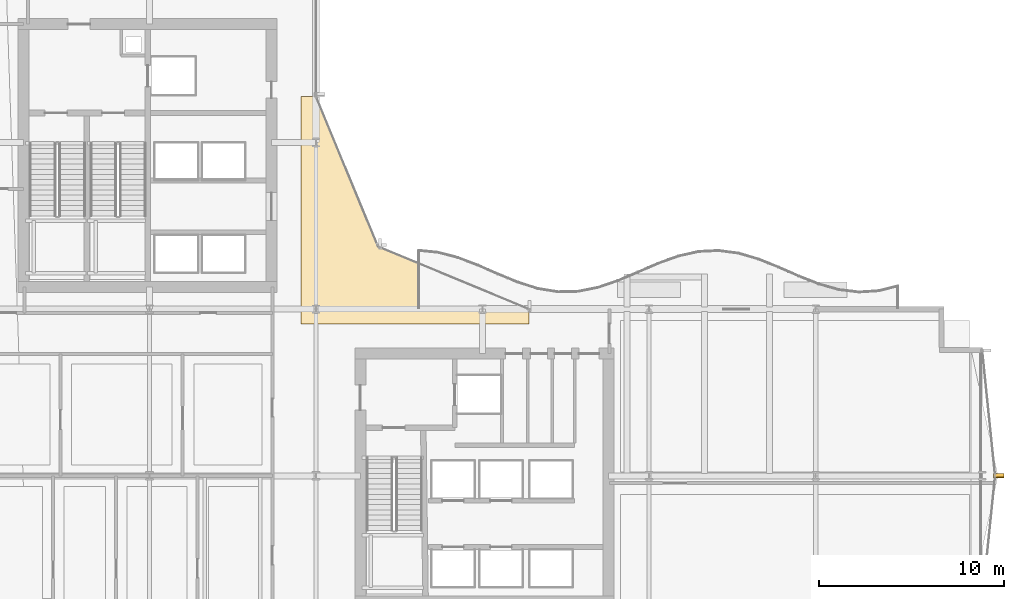
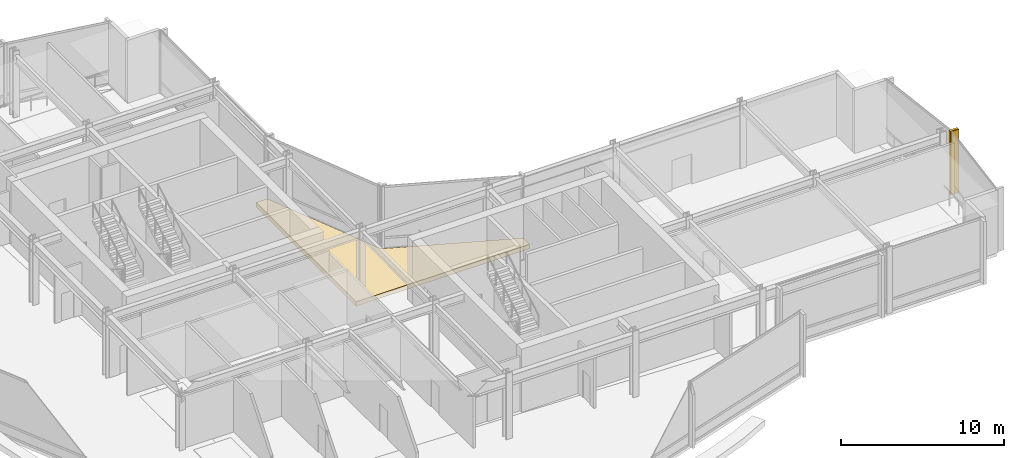
# One storey, part 38 of 39: 3 coverings.
"""IFC4 building model written with IfcOpenShell, lengths in metres."""

from ifc_helpers import new_model, si_unit, direction, frame, origin, origin_2d, place, context, subcontext, project, spatial, polyline, rectangle, outline, extrude, material, layer, layer_set, type_object, element, save


model = new_model("IFC4")

# Units and contexts
model_context = context("Model", 3, precision=1e-05, world=origin(), true_north=direction((0.0, 1.0)))
body_context = subcontext(model_context, "Body", "Model", "MODEL_VIEW")
ifc_project = project(units=[si_unit("LENGTHUNIT", "METRE"), si_unit("AREAUNIT", "SQUARE_METRE"), si_unit("VOLUMEUNIT", "CUBIC_METRE"), si_unit("PLANEANGLEUNIT", "RADIAN"), si_unit("MASSUNIT", "GRAM", prefix="KILO")], contexts=[model_context])

# Site, building, storey
site_placement = place(None, origin())
site = spatial("IfcSite", under=ifc_project, at=site_placement, CompositionType="ELEMENT")
building_placement = place(site_placement, origin())
building = spatial("IfcBuilding", under=site, at=building_placement, Name="Solvaryn Broadcast Tower", CompositionType="ELEMENT")
storey_placement = place(building_placement, frame((0.0, 0.0, 84.10009765625)))
storey = spatial("IfcBuildingStorey", under=building, at=storey_placement, Name="L20", CompositionType="ELEMENT", Elevation=84.10009765625)

# Coverings
ifc_material_1 = material(Name="Extruded Architectural Terracotta Fin", Category="masonry")
ifc_layer_1 = layer(ifc_material_1, 0.179931640625)
ifc_layer_set_1 = layer_set([ifc_layer_1], Name="CV-TC-FIN")
covering_type_1 = type_object("IfcCoveringType", Name="CV-TC-FIN", PredefinedType="USERDEFINED", material=ifc_layer_set_1)
for number, where, z_axis, x_axis, name in (
    (1, (63.884521484375, 18.02978515625, 0.0), (0.0, 0.0, 1.0), (1.0, 0.0, 0.0), "L20 Terracotta Vertical Fin FIN-L20-ET1-M01"),
    (2, (63.884521484375, 17.97021484375, 0.0), (0.0, 0.0, 1.0), (1.0, 0.0, 0.0), "L20 Terracotta Vertical Fin FIN-L20-ET2-M00"),
):
    element("IfcCovering", number, at=place(storey_placement, frame(where, z_axis=z_axis, x_axis=x_axis)), inside=storey, type_object=covering_type_1, Name=name, ObjectType="FIN", PredefinedType="USERDEFINED", context=body_context, shape_type="SweptSolid", body=[
        extrude(rectangle(XDim=0.580078125, YDim=0.179931640625, at=origin_2d()), origin(), (0.0, 0.0, 1.0), 4.719970703125),
    ])
ifc_material_2 = material(Name="Sculpted Architectural Terracotta Wave Fascia", Category="masonry")
ifc_layer_2 = layer(ifc_material_2, 0.340087890625)
ifc_layer_set_2 = layer_set([ifc_layer_2], Name="CV-WAVE-TRAY")
covering_type_2 = type_object("IfcCoveringType", Name="CV-WAVE-TRAY", PredefinedType="CLADDING", material=ifc_layer_set_2)
covering_placement = place(storey_placement, frame((0.0, 0.0, -0.300048828125)))
element("IfcCovering", 3, at=covering_placement, inside=storey, type_object=covering_type_2, Name="L20 Concave Canyon Floor Apron", PredefinedType="CLADDING", context=body_context, shape_type="SweptSolid", body=[
    extrude(outline(polyline([(26.199951171875, 26.199951171875), (38.5, 26.199951171875), (38.5, 27.0), (30.367919921875, 30.367919921875), (27.0, 38.5), (26.199951171875, 38.5), (26.199951171875, 26.199951171875)])), origin(), (0.0, 0.0, 1.0), 0.329833984375),
])

save(model, "model.ifc")
